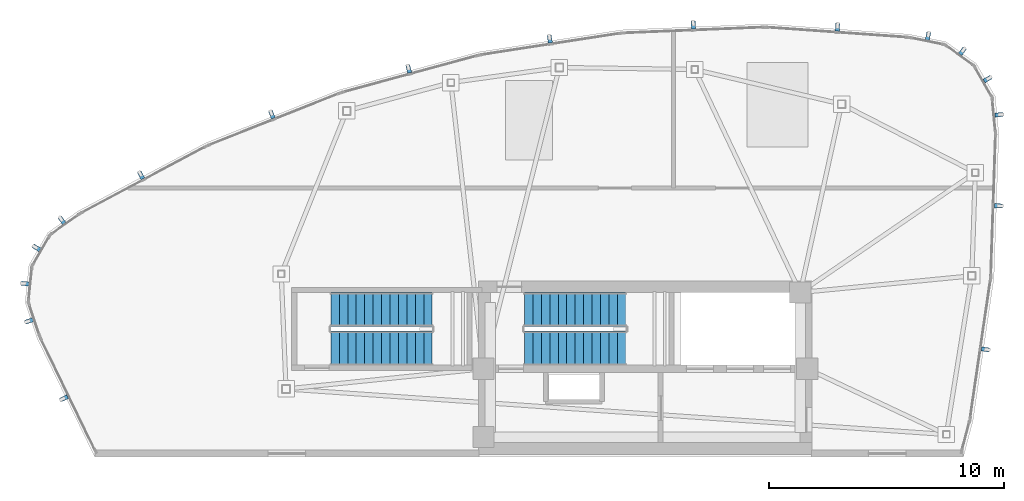
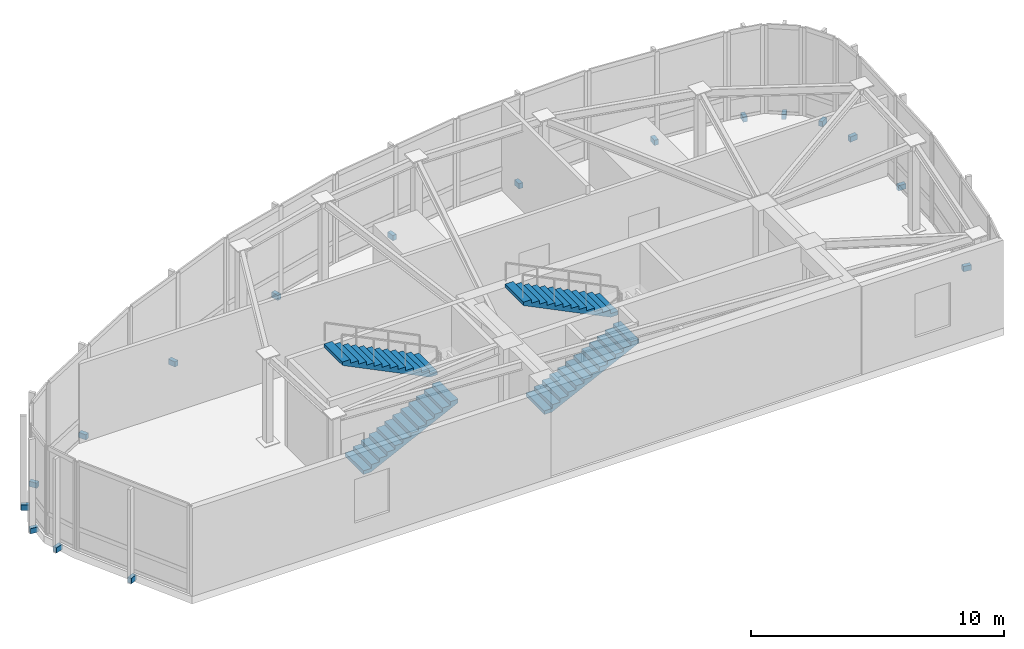
# One storey, part 7 of 10: 17 discrete accessories, 4 stair flights, 2 elements without a shape of their own.
"""IFC4 building model written with IfcOpenShell, lengths in metres."""

from ifc_helpers import new_model, si_unit, direction, frame, origin, origin_2d, place, context, subcontext, project, spatial, polyline, rectangle, outline, extrude, source, transform, mapped, material, type_object, type_shapes, element, aggregate, save


model = new_model("IFC4")

# Units and contexts
model_context = context("Model", 3, precision=1e-05, world=origin(), true_north=direction((0.0, 1.0)))
body_context = subcontext(model_context, "Body", "Model", "MODEL_VIEW")
ifc_project = project(units=[si_unit("LENGTHUNIT", "METRE"), si_unit("AREAUNIT", "SQUARE_METRE"), si_unit("VOLUMEUNIT", "CUBIC_METRE"), si_unit("PLANEANGLEUNIT", "RADIAN"), si_unit("MASSUNIT", "GRAM", prefix="KILO")], contexts=[model_context])

# Site, building, storey
site_placement = place(None, origin())
site = spatial("IfcSite", under=ifc_project, at=site_placement, CompositionType="ELEMENT")
building_placement = place(site_placement, origin())
building = spatial("IfcBuilding", under=site, at=building_placement, Name="Tavelor Broadcast Tower", CompositionType="ELEMENT")
storey_placement = place(building_placement, frame((0.0, 0.0, 355.10009765625)))
storey = spatial("IfcBuildingStorey", under=building, at=storey_placement, Name="L84", CompositionType="ELEMENT", Elevation=355.10009765625)

# Stair, stair flights
ifc_material_1 = material(Name="Concrete C40/50", Category="concrete")
stair_type = type_object("IfcStairType", Name="Reinforced Concrete Protected Dogleg Stair 1450 mm", PredefinedType="HALF_TURN_STAIR", material=ifc_material_1)
stair_1_placement = place(storey_placement, origin())
stair_1 = element("IfcStair", 1, at=stair_1_placement, inside=storey, type_object=stair_type, Name="L84 Protected Core Exit Stair ST1", PredefinedType="HALF_TURN_STAIR")
stair_flight_type = type_object("IfcStairFlightType", Name="Reinforced Concrete Stair Flight 1450 mm", PredefinedType="STRAIGHT", material=ifc_material_1)
stair_flight_1_placement = place(storey_placement, frame((44.85009765625, 48.824951171875, 0.0), z_axis=(0.0, 0.0, 1.0), x_axis=(1.0, 0.0, 0.0)))
stair_flight_1 = element("IfcStairFlight", 2, at=stair_flight_1_placement, type_object=stair_flight_type, Name="ST1 flight 1", NumberOfRisers=13, NumberOfTreads=12, PredefinedType="STRAIGHT", RiserHeight=0.176923077, TreadLength=0.36, context=body_context, shape_type="SweptSolid", body=[
    extrude(outline(polyline([(0.0, 0.0), (0.0, 0.177001953125), (0.360107421875, 0.177001953125), (0.360107421875, 0.353759765625), (0.719970703125, 0.353759765625), (0.719970703125, 0.53076171875), (1.080078125, 0.53076171875), (1.080078125, 0.707763671875), (1.43994140625, 0.707763671875), (1.43994140625, 0.884521484375), (1.800048828125, 0.884521484375), (1.800048828125, 1.0615234375), (2.159912109375, 1.0615234375), (2.159912109375, 1.238525390625), (2.52001953125, 1.238525390625), (2.52001953125, 1.415283203125), (2.8798828125, 1.415283203125), (2.8798828125, 1.59228515625), (3.239990234375, 1.59228515625), (3.239990234375, 1.769287109375), (3.60009765625, 1.769287109375), (3.60009765625, 1.946044921875), (3.9599609375, 1.946044921875), (3.9599609375, 2.123046875), (4.320068359375, 2.123046875), (4.320068359375, 2.300048828125), (4.320068359375, 1.9560546875), (0.33984375, 0.0), (0.0, 0.0)])), frame((0.0, 0.72509765625, 0.0), z_axis=(0.0, -1.0, 0.0), x_axis=(1.0, 0.0, 0.0)), (0.0, 0.0, 1.0), 1.449951171875),
])
stair_flight_2_placement = place(storey_placement, frame((49.169921875, 50.47509765625, 2.2998046875), z_axis=(0.0, 0.0, 1.0), x_axis=(-1.0, 0.0, 0.0)))
stair_flight_2 = element("IfcStairFlight", 3, at=stair_flight_2_placement, type_object=stair_flight_type, Name="ST1 flight 2", NumberOfRisers=13, NumberOfTreads=12, PredefinedType="STRAIGHT", RiserHeight=0.176923077, TreadLength=0.36, context=body_context, shape_type="SweptSolid", body=[
    extrude(outline(polyline([(0.0, 0.0), (0.0, 0.177001953125), (0.360107421875, 0.177001953125), (0.360107421875, 0.353759765625), (0.719970703125, 0.353759765625), (0.719970703125, 0.53076171875), (1.080078125, 0.53076171875), (1.080078125, 0.707763671875), (1.43994140625, 0.707763671875), (1.43994140625, 0.884521484375), (1.800048828125, 0.884521484375), (1.800048828125, 1.0615234375), (2.159912109375, 1.0615234375), (2.159912109375, 1.238525390625), (2.52001953125, 1.238525390625), (2.52001953125, 1.415283203125), (2.8798828125, 1.415283203125), (2.8798828125, 1.59228515625), (3.239990234375, 1.59228515625), (3.239990234375, 1.769287109375), (3.60009765625, 1.769287109375), (3.60009765625, 1.946044921875), (3.9599609375, 1.946044921875), (3.9599609375, 2.123046875), (4.320068359375, 2.123046875), (4.320068359375, 2.300048828125), (4.320068359375, 1.9560546875), (0.33984375, 0.0), (0.0, 0.0)])), frame((0.0, 0.72509765625, 0.0), z_axis=(0.0, -1.0, 0.0), x_axis=(1.0, 0.0, 0.0)), (0.0, 0.0, 1.0), 1.449951171875),
])
aggregate(stair_1, [stair_flight_1, stair_flight_2])

stair_2_placement = place(storey_placement, origin())
stair_2 = element("IfcStair", 4, at=stair_2_placement, inside=storey, type_object=stair_type, Name="L84 Crown Peak A Plant Stair ST5", PredefinedType="HALF_TURN_STAIR")
stair_flight_3_placement = place(storey_placement, frame((36.60009765625, 48.824951171875, 0.0), z_axis=(0.0, 0.0, 1.0), x_axis=(1.0, 0.0, 0.0)))
stair_flight_3 = element("IfcStairFlight", 5, at=stair_flight_3_placement, type_object=stair_flight_type, Name="ST5 flight 1", NumberOfRisers=13, NumberOfTreads=12, PredefinedType="STRAIGHT", RiserHeight=0.176923077, TreadLength=0.36, context=body_context, shape_type="SweptSolid", body=[
    extrude(outline(polyline([(0.0, 0.0), (0.0, 0.177001953125), (0.360107421875, 0.177001953125), (0.360107421875, 0.353759765625), (0.719970703125, 0.353759765625), (0.719970703125, 0.53076171875), (1.080078125, 0.53076171875), (1.080078125, 0.707763671875), (1.43994140625, 0.707763671875), (1.43994140625, 0.884521484375), (1.800048828125, 0.884521484375), (1.800048828125, 1.0615234375), (2.159912109375, 1.0615234375), (2.159912109375, 1.238525390625), (2.52001953125, 1.238525390625), (2.52001953125, 1.415283203125), (2.8798828125, 1.415283203125), (2.8798828125, 1.59228515625), (3.239990234375, 1.59228515625), (3.239990234375, 1.769287109375), (3.60009765625, 1.769287109375), (3.60009765625, 1.946044921875), (3.9599609375, 1.946044921875), (3.9599609375, 2.123046875), (4.320068359375, 2.123046875), (4.320068359375, 2.300048828125), (4.320068359375, 1.9560546875), (0.33984375, 0.0), (0.0, 0.0)])), frame((0.0, 0.72509765625, 0.0), z_axis=(0.0, -1.0, 0.0), x_axis=(1.0, 0.0, 0.0)), (0.0, 0.0, 1.0), 1.449951171875),
])
stair_flight_4_placement = place(storey_placement, frame((40.919921875, 50.47509765625, 2.2998046875), z_axis=(0.0, 0.0, 1.0), x_axis=(-1.0, 0.0, 0.0)))
stair_flight_4 = element("IfcStairFlight", 6, at=stair_flight_4_placement, type_object=stair_flight_type, Name="ST5 flight 2", NumberOfRisers=13, NumberOfTreads=12, PredefinedType="STRAIGHT", RiserHeight=0.176923077, TreadLength=0.36, context=body_context, shape_type="SweptSolid", body=[
    extrude(outline(polyline([(0.0, 0.0), (0.0, 0.177001953125), (0.360107421875, 0.177001953125), (0.360107421875, 0.353759765625), (0.719970703125, 0.353759765625), (0.719970703125, 0.53076171875), (1.080078125, 0.53076171875), (1.080078125, 0.707763671875), (1.43994140625, 0.707763671875), (1.43994140625, 0.884521484375), (1.800048828125, 0.884521484375), (1.800048828125, 1.0615234375), (2.159912109375, 1.0615234375), (2.159912109375, 1.238525390625), (2.52001953125, 1.238525390625), (2.52001953125, 1.415283203125), (2.8798828125, 1.415283203125), (2.8798828125, 1.59228515625), (3.239990234375, 1.59228515625), (3.239990234375, 1.769287109375), (3.60009765625, 1.769287109375), (3.60009765625, 1.946044921875), (3.9599609375, 1.946044921875), (3.9599609375, 2.123046875), (4.320068359375, 2.123046875), (4.320068359375, 2.300048828125), (4.320068359375, 1.9560546875), (0.33984375, 0.0), (0.0, 0.0)])), frame((0.0, 0.72509765625, 0.0), z_axis=(0.0, -1.0, 0.0), x_axis=(1.0, 0.0, 0.0)), (0.0, 0.0, 1.0), 1.449951171875),
])
aggregate(stair_2, [stair_flight_3, stair_flight_4])

# Discrete accessories
ifc_material_2 = material(Name="Steel S355", Category="steel")
discrete_accessory_type = type_object("IfcDiscreteAccessoryType", Name="Stainless Baguette Outrigger Support Bracket 260x180", PredefinedType="BRACKET", material=ifc_material_2)
shared_shape = source(origin(), body_context, "Body", "SweptSolid", [
    extrude(rectangle(XDim=0.179931640625, YDim=0.340087890625, at=origin_2d()), origin(), (0.0, 0.0, 1.0), 0.251953125),
])
type_shapes(discrete_accessory_type, [shared_shape])
for number, where, z_axis, x_axis, name in (
    (7, (64.491455078125, 48.7734375, -0.301025390625), (0.0, 0.0, 1.0), (0.145219670077, 0.989399437751, 0.0), "L84 Baguette Outrigger Bracket 857"),
    (8, (65.04150390625, 54.89404296875, -0.301025390625), (0.0, 0.0, 1.0), (0.033504050301, 0.999438581711, 0.0), "L84 Baguette Outrigger Bracket 858"),
    (9, (65.06689453125, 58.772216796875, -0.301025390625), (0.0, 0.0, 1.0), (-0.096714362966, 0.995312178161, 0.0), "L84 Baguette Outrigger Bracket 859"),
    (10, (64.580810546875, 60.294921875, -0.301025390625), (0.0, 0.0, 1.0), (-0.497731039913, 0.867331431408, 0.0), "L84 Baguette Outrigger Bracket 860"),
    (11, (63.511474609375, 61.482421875, -0.301025390625), (0.0, 0.0, 1.0), (-0.810553038353, 0.585665238866, 0.0), "L84 Baguette Outrigger Bracket 861"),
    (12, (62.0478515625, 62.125, -0.301025390625), (0.0, 0.0, 1.0), (-0.979750350171, 0.200223004021, 0.0), "L84 Baguette Outrigger Bracket 862"),
    (13, (58.1884765625, 62.505126953125, -0.301025390625), (0.0, 0.0, 1.0), (-0.997465679479, 0.071149267469, 0.0), "L84 Baguette Outrigger Bracket 863"),
    (14, (52.043701171875, 62.597900390625, -0.301025390625), (0.0, 0.0, 1.0), (-0.999158993058, -0.041003738744, 0.0), "L84 Baguette Outrigger Bracket 864"),
    (15, (45.927490234375, 62.001708984375, -0.301025390625), (0.0, 0.0, 1.0), (-0.98828172337, -0.15264087019, 0.0), "L84 Baguette Outrigger Bracket 865"),
    (16, (39.91650390625, 60.72412109375, -0.301025390625), (0.0, 0.0, 1.0), (-0.964924914393, -0.262526016964, 0.0), "L84 Baguette Outrigger Bracket 866"),
    (17, (34.08642578125, 58.781005859375, -0.301025390625), (0.0, 0.0, 1.0), (-0.929454882621, -0.36893579546, 0.0), "L84 Baguette Outrigger Bracket 867"),
    (18, (28.5107421875, 56.197021484375, -0.301025390625), (0.0, 0.0, 1.0), (-0.882291226435, -0.470703932165, 0.0), "L84 Baguette Outrigger Bracket 868"),
    (19, (25.139404296875, 54.27978515625, -0.301025390625), (0.0, 0.0, 1.0), (-0.813608449501, -0.58141318432, 0.0), "L84 Baguette Outrigger Bracket 869"),
    (20, (24.06396484375, 53.09765625, -0.301025390625), (0.0, 0.0, 1.0), (-0.502265533143, -0.86471344052, 0.0), "L84 Baguette Outrigger Bracket 870"),
    (21, (23.570068359375, 51.57763671875, -0.301025390625), (0.0, 0.0, 1.0), (-0.101924455795, -0.994792141762, 0.0), "L84 Baguette Outrigger Bracket 871"),
    (22, (23.745361328125, 49.989013671875, -0.301025390625), (0.0, 0.0, 1.0), (0.316476967182, -0.948600194626, 0.0), "L84 Baguette Outrigger Bracket 872"),
    (23, (25.23095703125, 46.692626953125, -0.301025390625), (0.0, 0.0, 1.0), (0.437115766651, -0.899405251566, 0.0), "L84 Baguette Outrigger Bracket 873"),
):
    element("IfcDiscreteAccessory", number, at=place(storey_placement, frame(where, z_axis=z_axis, x_axis=x_axis)), inside=storey, type_object=discrete_accessory_type, Name=name, PredefinedType="BRACKET", context=body_context, shape_type="MappedRepresentation", body=[
        mapped(shared_shape, transform((0.0, 0.0, 0.0), scale=1.0)),
    ])

save(model, "model.ifc")
